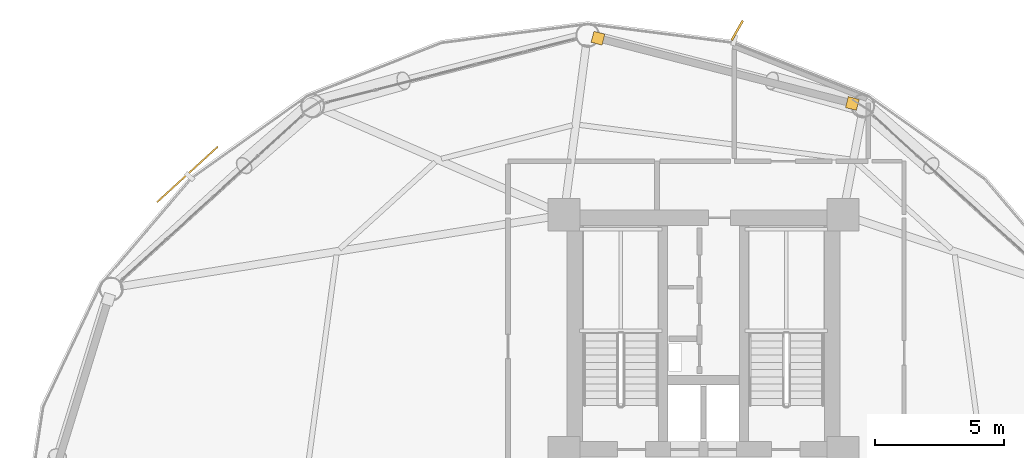
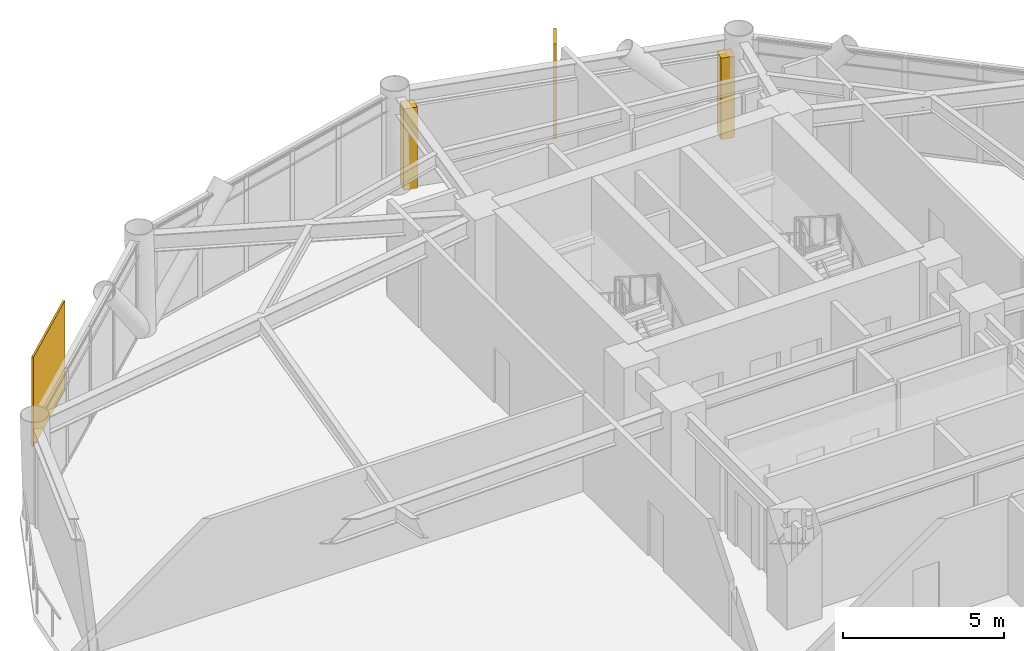
# One storey, part 25 of 25: 2 coverings, 2 shading devices.
"""IFC4 building model written with IfcOpenShell, lengths in metres."""

from ifc_helpers import new_model, si_unit, direction, frame, origin, origin_2d, place, context, subcontext, project, spatial, rectangle, extrude, source, transform, mapped, material, layer, layer_set, type_object, type_shapes, element, save


model = new_model("IFC4")

# Units and contexts
model_context = context("Model", 3, precision=1e-05, world=origin(), true_north=direction((0.0, 1.0)))
body_context = subcontext(model_context, "Body", "Model", "MODEL_VIEW")
ifc_project = project(units=[si_unit("LENGTHUNIT", "METRE"), si_unit("AREAUNIT", "SQUARE_METRE"), si_unit("VOLUMEUNIT", "CUBIC_METRE"), si_unit("PLANEANGLEUNIT", "RADIAN"), si_unit("MASSUNIT", "GRAM", prefix="KILO")], contexts=[model_context])

# Site, building, storey
site_placement = place(None, origin())
site = spatial("IfcSite", under=ifc_project, at=site_placement, CompositionType="ELEMENT")
building_placement = place(site_placement, origin())
building = spatial("IfcBuilding", under=site, at=building_placement, Name="Varnakorn Sky Granary", CompositionType="ELEMENT")
storey_placement = place(building_placement, frame((0.0, 0.0, 62.699951171875)))
storey = spatial("IfcBuildingStorey", under=building, at=storey_placement, Name="L15", CompositionType="ELEMENT", Elevation=62.699951171875)

# Shading device
ifc_material = material(Name="Anodised Bronze Aluminium Alloy 6063-T6", Category="aluminium")
shading_device_type_1 = type_object("IfcShadingDeviceType", Name="SH-FIN-01", PredefinedType="USERDEFINED", material=ifc_material)
shared_shape_1 = source(origin(), body_context, "Body", "SweptSolid", [
    extrude(rectangle(XDim=0.0849609375, YDim=0.8798828125, at=origin_2d()), origin(), (0.0, 0.0, 1.0), 3.60009765625),
])
type_shapes(shading_device_type_1, [shared_shape_1])
shading_device_1_placement = place(storey_placement, frame((4.3125, 19.78662109375, -0.0400390625), z_axis=(0.0, 0.0, 1.0), x_axis=(-0.86751928047, 0.497403556494, 0.0)))
element("IfcShadingDevice", 1, at=shading_device_1_placement, inside=storey, type_object=shading_device_type_1, Name="Bronze Solar-Tracking Vertical Blade FIN L15-03", ObjectType="FIN", PredefinedType="USERDEFINED", context=body_context, shape_type="MappedRepresentation", body=[
    mapped(shared_shape_1, transform((0.0, 0.0, 0.0), x_axis=(1.0, 0.0, 0.0), y_axis=(0.0, 1.0, 0.0), z_axis=(0.0, 0.0, 1.0), scale=1.0)),
])

# Coverings
ifc_layer = layer(ifc_material, 0.050048828125, Name="Anodised Bronze Aluminium Alloy 6063-T6")
ifc_layer_set = layer_set([ifc_layer], Name="Anodised Bronze Aluminium Alloy 6063-T6")
covering_type = type_object("IfcCoveringType", Name="CV-CLAD-50", PredefinedType="CLADDING", material=ifc_layer_set)
shared_shape_2 = source(origin(), body_context, "Body", "SweptSolid", [
    extrude(rectangle(XDim=0.43994140625, YDim=0.43994140625, at=origin_2d()), origin(), (0.0, 0.0, 1.0), 3.080078125),
])
type_shapes(covering_type, [shared_shape_2])
for number, where, z_axis, x_axis, name in (
    (2, (-1.100830078125, 19.480712890625, -0.02001953125), (0.0, 0.0, 1.0), (0.968669911264, -0.248351772716, 0.0), "Bronze Corner Pilaster Closure L15-P03-A"),
    (3, (8.786376953125, 16.94482421875, -0.02001953125), (0.0, 0.0, 1.0), (0.968669911264, -0.248351772716, 0.0), "Bronze Corner Pilaster Closure L15-P03-B"),
):
    element("IfcCovering", number, at=place(storey_placement, frame(where, z_axis=z_axis, x_axis=x_axis)), inside=storey, type_object=covering_type, Name=name, PredefinedType="CLADDING", context=body_context, shape_type="MappedRepresentation", body=[
        mapped(shared_shape_2, transform((0.0, 0.0, 0.0), x_axis=(1.0, 0.0, 0.0), y_axis=(0.0, 1.0, 0.0), z_axis=(0.0, 0.0, 1.0), scale=1.0)),
    ])

# Shading device
shading_device_type_2 = type_object("IfcShadingDeviceType", Name="SH-SCR-01", PredefinedType="USERDEFINED", material=ifc_material)
shared_shape_3 = source(origin(), body_context, "Body", "SweptSolid", [
    extrude(rectangle(XDim=3.199951171875, YDim=0.06494140625, at=origin_2d()), origin(), (0.0, 0.0, 1.0), 3.39990234375),
])
type_shapes(shading_device_type_2, [shared_shape_3])
shading_device_2_placement = place(storey_placement, frame((-17.061279296875, 14.185791015625, -0.039794921875), z_axis=(0.0, 0.0, 1.0), x_axis=(-0.738485484249, -0.674269374623, 0.0)))
element("IfcShadingDevice", 4, at=shading_device_2_placement, inside=storey, type_object=shading_device_type_2, Name="Perforated Bronze Solar Screen Panel SCREEN L15-05", ObjectType="SCREEN", PredefinedType="USERDEFINED", context=body_context, shape_type="MappedRepresentation", body=[
    mapped(shared_shape_3, transform((0.0, 0.0, 0.0), x_axis=(1.0, 0.0, 0.0), y_axis=(0.0, 1.0, 0.0), z_axis=(0.0, 0.0, 1.0), scale=1.0)),
])

save(model, "model.ifc")
